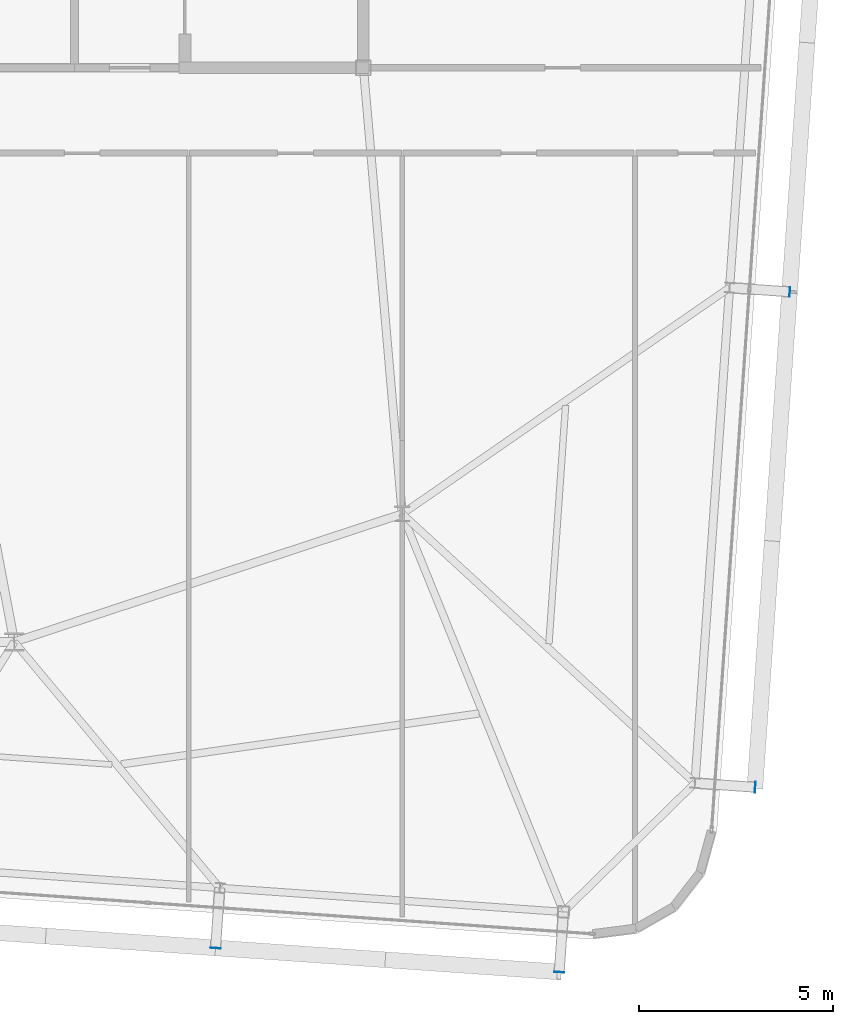
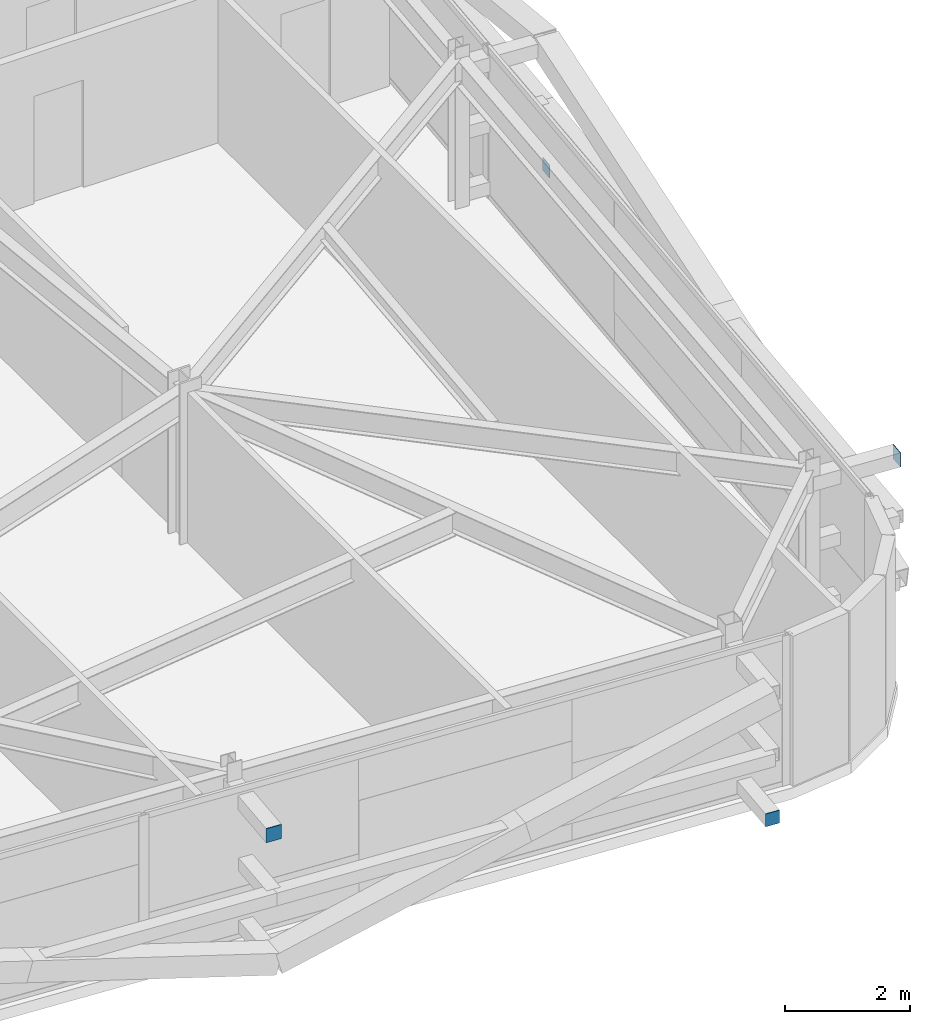
# One storey, part 30 of 39: 4 plates.
"""IFC4 building model written with IfcOpenShell, lengths in metres."""

from ifc_helpers import new_model, si_unit, direction, frame, origin, origin_2d, place, context, subcontext, project, spatial, rectangle, extrude, source, transform, mapped, material, layer, layer_set, type_object, element, save


model = new_model("IFC4")

# Units and contexts
model_context = context("Model", 3, precision=1e-05, world=origin(), true_north=direction((0.0, 1.0)))
body_context = subcontext(model_context, "Body", "Model", "MODEL_VIEW")
ifc_project = project(units=[si_unit("LENGTHUNIT", "METRE"), si_unit("AREAUNIT", "SQUARE_METRE"), si_unit("VOLUMEUNIT", "CUBIC_METRE"), si_unit("PLANEANGLEUNIT", "RADIAN"), si_unit("MASSUNIT", "GRAM", prefix="KILO")], contexts=[model_context])

# Site, building, storey
site_placement = place(None, origin())
site = spatial("IfcSite", under=ifc_project, at=site_placement, CompositionType="ELEMENT")
building_placement = place(site_placement, origin())
building = spatial("IfcBuilding", under=site, at=building_placement, Name="Taldren Reach Tower", CompositionType="ELEMENT")
storey_placement = place(building_placement, frame((0.0, 0.0, 120.39990234375)))
storey = spatial("IfcBuildingStorey", under=building, at=storey_placement, Name="L36", CompositionType="ELEMENT", Elevation=120.39990234375)

# Plates
ifc_material_1 = material(Name="Steel Gr 450 (C450L0)", Category="steel")
ifc_layer_1 = layer(ifc_material_1, 0.011962890625)
ifc_layer_set_1 = layer_set([ifc_layer_1], Name="Steel Gr 450 (C450L0)")
plate_type_1 = type_object("IfcPlateType", Name="PL-CAP-275", PredefinedType="SHEET", material=ifc_layer_set_1)
shared_shape_1 = source(origin(), body_context, "Body", "SweptSolid", [
    extrude(rectangle(XDim=0.27490234375, YDim=0.011962890625, at=origin_2d()), origin(), (0.0, 0.0, 1.0), 0.27490234375),
])
plate_1_placement = place(storey_placement, frame((47.1884765625, 1.308349609375, 2.5126953125), z_axis=(0.0, 0.0, 1.0), x_axis=(0.99756405026, -0.069756473744, 0.0)))
element("IfcPlate", 1, at=plate_1_placement, inside=storey, type_object=plate_type_1, Name="Tie strut end cap plate B3-S5 L36", PredefinedType="SHEET", context=body_context, shape_type="MappedRepresentation", body=[
    mapped(shared_shape_1, transform((0.0, 0.0, 0.0), scale=1.0)),
])
shared_shape_2 = source(origin(), body_context, "Body", "SweptSolid", [
    extrude(rectangle(XDim=0.011962890625, YDim=0.27490234375, at=origin_2d()), origin(), (0.0, 0.0, 1.0), 0.27490234375),
])
plate_2_placement = place(storey_placement, frame((61.09765625, 5.454345703125, 2.5126953125), z_axis=(0.0, 0.0, 1.0), x_axis=(0.99756405026, -0.069756473744, 0.0)))
element("IfcPlate", 2, at=plate_2_placement, inside=storey, type_object=plate_type_1, Name="Tie strut end cap plate B3-E1 L36", PredefinedType="SHEET", context=body_context, shape_type="MappedRepresentation", body=[
    mapped(shared_shape_2, transform((0.0, 0.0, 0.0), scale=1.0)),
])
ifc_material_2 = material(Name="Steel Gr 350 (C350L0)", Category="steel")
ifc_layer_2 = layer(ifc_material_2, 0.011962890625)
ifc_layer_set_2 = layer_set([ifc_layer_2], Name="Steel Gr 350 (C350L0)")
plate_type_2 = type_object("IfcPlateType", Name="PL-CAP-250", PredefinedType="SHEET", material=ifc_layer_set_2)
shared_shape_3 = source(origin(), body_context, "Body", "SweptSolid", [
    extrude(rectangle(XDim=0.25, YDim=0.011962890625, at=origin_2d()), origin(), (0.0, 0.0, 1.0), 0.25),
])
plate_3_placement = place(storey_placement, frame((56.046875, 0.68896484375, 0.09521484375), z_axis=(0.0, 0.0, 1.0), x_axis=(0.99756405026, -0.069756473744, 0.0)))
element("IfcPlate", 3, at=plate_3_placement, inside=storey, type_object=plate_type_2, Name="Tie strut end cap plate B3-S6 L36", PredefinedType="SHEET", context=body_context, shape_type="MappedRepresentation", body=[
    mapped(shared_shape_3, transform((0.0, 0.0, 0.0), scale=1.0)),
])
shared_shape_4 = source(origin(), body_context, "Body", "SweptSolid", [
    extrude(rectangle(XDim=0.011962890625, YDim=0.25, at=origin_2d()), origin(), (0.0, 0.0, 1.0), 0.25),
])
plate_4_placement = place(storey_placement, frame((61.990478515625, 18.22314453125, 0.09521484375), z_axis=(0.0, 0.0, 1.0), x_axis=(0.99756405026, -0.069756473744, 0.0)))
element("IfcPlate", 4, at=plate_4_placement, inside=storey, type_object=plate_type_2, Name="Tie strut end cap plate B3-E2 L36", PredefinedType="SHEET", context=body_context, shape_type="MappedRepresentation", body=[
    mapped(shared_shape_4, transform((0.0, 0.0, 0.0), scale=1.0)),
])

save(model, "model.ifc")
